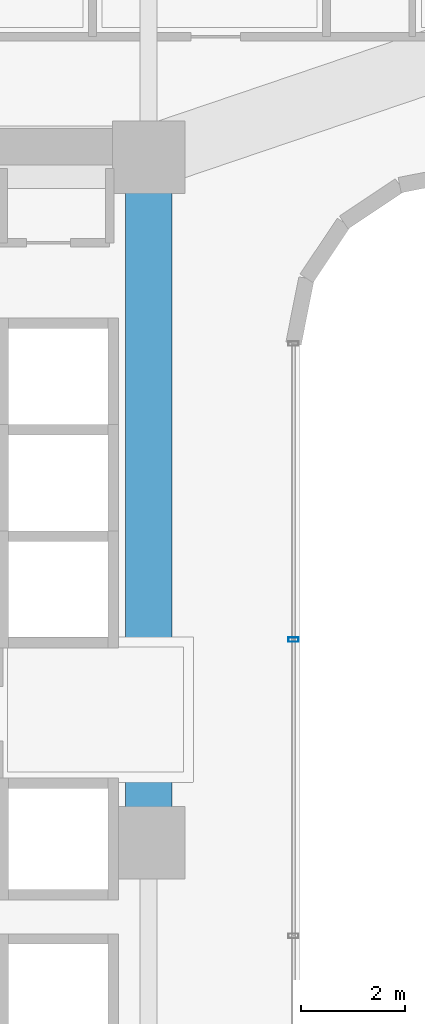
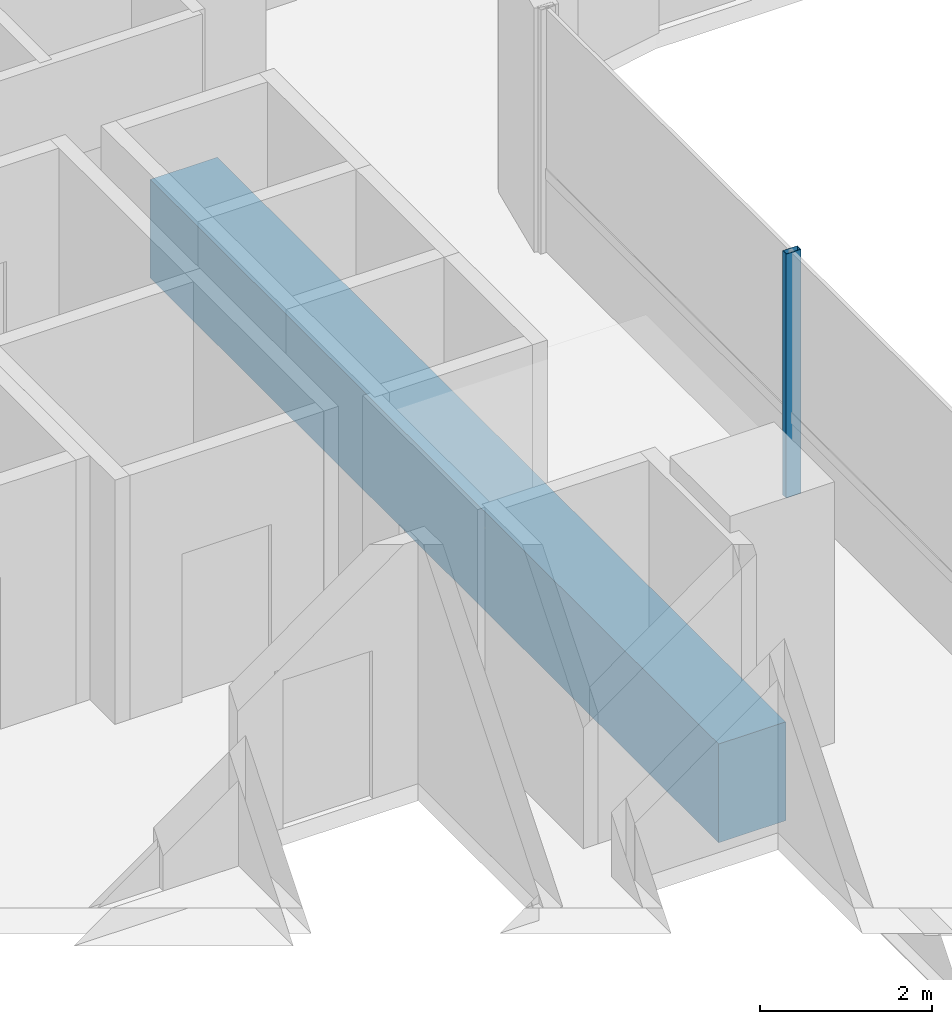
# One storey, part 12 of 50: 1 beam, 1 member, 1 element without a shape of its own.
"""IFC4 building model written with IfcOpenShell, lengths in metres."""

import ifcopenshell
import ifcopenshell.guid

model = None  # the IFC model being written
_history = None  # IfcOwnerHistory: only IFC2X3 demands one
_inside = {}  # id of a spatial element -> (the spatial element, [elements in it])
_under = {}  # id of a project, library or spatial element -> (it, [spatial elements below it])
_declared = {}  # id of a project -> (the project, [libraries it declares])
_typed = {}  # id of a type object -> (the type object, [elements of that type])
_made_of = {}  # id of a material, layer set ... -> (it, [elements and type objects made of it])


def new_model(schema):
    """Start an empty IFC model of exactly this schema.

    Asked for "IFC4X3", IfcOpenShell would pick the latest addendum, in which some entities
    have other attributes; the version numbers below select the first issue.
    IFC2X3 requires an IfcOwnerHistory on every rooted entity: one is made here for all.
    """
    global model, _history
    if schema == "IFC4X3":
        model = ifcopenshell.file(schema_version=(4, 3, 0, 0))
    else:
        model = ifcopenshell.file(schema=schema)
    _inside.clear()
    _under.clear()
    _declared.clear()
    _typed.clear()
    _made_of.clear()
    _history = None
    if model.schema == "IFC2X3":
        org = make("IfcOrganization", Name="unknown")
        user = make(
            "IfcPersonAndOrganization",
            ThePerson=make("IfcPerson", FamilyName="unknown"),
            TheOrganization=org,
        )
        app = make(
            "IfcApplication",
            ApplicationDeveloper=org,
            Version="unknown",
            ApplicationFullName="unknown",
            ApplicationIdentifier="unknown",
        )
        _history = make(
            "IfcOwnerHistory",
            OwningUser=user,
            OwningApplication=app,
            ChangeAction="ADDED",
            CreationDate=0,
        )
    return model


def make(cls, **values):
    """One entity of the class cls with the attributes given. An attribute that is None is left unset."""
    return model.create_entity(
        cls, **{name: value for name, value in values.items() if value is not None}
    )


def rooted(cls, **values):
    """An entity with a GlobalId (a new one), such as an element, a storey or a relation."""
    return make(cls, GlobalId=ifcopenshell.guid.new(), OwnerHistory=_history, **values)


def si_unit(unit_type, name, prefix=None):
    """IfcSIUnit, for example si_unit("LENGTHUNIT", "METRE", prefix="MILLI")."""
    return make("IfcSIUnit", UnitType=unit_type, Prefix=prefix, Name=name)


def assignment(units):
    """IfcUnitAssignment: the units of a project."""
    return None if units is None else make("IfcUnitAssignment", Units=units)


def point(xyz):
    """IfcCartesianPoint."""
    return None if xyz is None else make("IfcCartesianPoint", Coordinates=xyz)


def direction(xyz):
    """IfcDirection."""
    return None if xyz is None else make("IfcDirection", DirectionRatios=xyz)


def frame(location, z_axis=None, x_axis=None):
    """IfcAxis2Placement3D, a coordinate frame: its origin and axes. An axis left out is left unset."""
    return make(
        "IfcAxis2Placement3D",
        Location=point(location),
        Axis=direction(z_axis),
        RefDirection=direction(x_axis),
    )


def frame_2d(location, x_axis=None):
    """IfcAxis2Placement2D, a coordinate frame in the plane: its origin and x axis."""
    return make(
        "IfcAxis2Placement2D", Location=point(location), RefDirection=direction(x_axis)
    )


def origin():
    """The frame at (0, 0, 0) with its axes left unset."""
    return frame((0.0, 0.0, 0.0))


def origin_2d():
    """The frame at (0, 0) in the plane with its x axis left unset."""
    return frame_2d((0.0, 0.0))


def place(relative_to, where):
    """IfcLocalPlacement: puts the frame where relative to a parent placement (None: the world)."""
    return make(
        "IfcLocalPlacement", PlacementRelTo=relative_to, RelativePlacement=where
    )


def context(
    kind, dimensions, precision=None, world=None, true_north=None, identifier=None
):
    """IfcGeometricRepresentationContext, for example the 3D "Model" context."""
    return make(
        "IfcGeometricRepresentationContext",
        ContextIdentifier=identifier,
        ContextType=kind,
        CoordinateSpaceDimension=dimensions,
        Precision=precision,
        WorldCoordinateSystem=world,
        TrueNorth=true_north,
    )


def subcontext(parent, identifier, kind, view, scale=None):
    """IfcGeometricRepresentationSubContext, for example "Body" below "Model"."""
    return make(
        "IfcGeometricRepresentationSubContext",
        ContextIdentifier=identifier,
        ContextType=kind,
        ParentContext=parent,
        TargetScale=scale,
        TargetView=view,
    )


def project(units=None, contexts=None):
    """IfcProject with its units and contexts."""
    return rooted(
        "IfcProject",
        Name="project",
        RepresentationContexts=contexts,
        UnitsInContext=assignment(units),
    )


def spatial(cls, under=None, at=None, **own):
    """A site, building, storey or space (cls), placed at a placement, below another one or the project."""
    s = rooted(cls, ObjectPlacement=at, **own)
    if under is not None:
        _under.setdefault(under.id(), (under, []))[1].append(s)
    return s


def profile(cls, at=None, kind="AREA", **sizes):
    """A parametric profile (cls). Its sizes go by their IFC names, for example OverallWidth=200.0."""
    return make(cls, ProfileType=kind, Position=at, **sizes)


def rectangle(**sizes):
    """IfcRectangleProfileDef."""
    return profile("IfcRectangleProfileDef", **sizes)


def hollow_rectangle(**sizes):
    """IfcRectangleHollowProfileDef."""
    return profile("IfcRectangleHollowProfileDef", **sizes)


def extrude(swept, where, along, depth):
    """IfcExtrudedAreaSolid: the profile swept, set in the frame where, extruded along a direction by depth."""
    return make(
        "IfcExtrudedAreaSolid",
        SweptArea=swept,
        Position=where,
        ExtrudedDirection=direction(along),
        Depth=depth,
    )


def shape(context_of_items, identifier, shape_type, items):
    """IfcShapeRepresentation: the items that make up one representation, for example the "Body"."""
    return make(
        "IfcShapeRepresentation",
        ContextOfItems=context_of_items,
        RepresentationIdentifier=identifier,
        RepresentationType=shape_type,
        Items=items,
    )


def source(mapping_origin, context_of_items, identifier, shape_type, items):
    """IfcRepresentationMap: a shape defined once, which mapped items show again and again."""
    return make(
        "IfcRepresentationMap",
        MappingOrigin=mapping_origin,
        MappedRepresentation=shape(context_of_items, identifier, shape_type, items),
    )


def transform(
    local_origin,
    x_axis=None,
    y_axis=None,
    z_axis=None,
    scale=None,
    scale2=None,
    scale3=None,
    uniform=True,
):
    """IfcCartesianTransformationOperator3D, or its non-uniform kind. x_axis, y_axis, z_axis: its Axis1, 2, 3."""
    if uniform:
        return make(
            "IfcCartesianTransformationOperator3D",
            Axis1=direction(x_axis),
            Axis2=direction(y_axis),
            LocalOrigin=point(local_origin),
            Scale=scale,
            Axis3=direction(z_axis),
        )
    return make(
        "IfcCartesianTransformationOperator3DnonUniform",
        Axis1=direction(x_axis),
        Axis2=direction(y_axis),
        LocalOrigin=point(local_origin),
        Scale=scale,
        Axis3=direction(z_axis),
        Scale2=scale2,
        Scale3=scale3,
    )


def mapped(mapping_source, mapping_target):
    """IfcMappedItem: shows the shape of a source again, moved by a transform."""
    return make(
        "IfcMappedItem", MappingSource=mapping_source, MappingTarget=mapping_target
    )


def material(Name=None, Category=None):
    """IfcMaterial."""
    return make("IfcMaterial", Name=Name, Category=Category)


def material_profile(
    of_material, cross_section, Name=None, Category=None, Priority=None
):
    """IfcMaterialProfile: a cross section and its material."""
    return make(
        "IfcMaterialProfile",
        Name=Name,
        Material=of_material,
        Profile=cross_section,
        Priority=Priority,
        Category=Category,
    )


def profile_set(profiles, Name=None, composite=None):
    """IfcMaterialProfileSet."""
    return make(
        "IfcMaterialProfileSet",
        Name=Name,
        MaterialProfiles=profiles,
        CompositeProfile=composite,
    )


def made_of(thing, what):
    """Note that an element or type object is made of a material, layer set ...; save() writes the relation."""
    if what is not None:
        _made_of.setdefault(what.id(), (what, []))[1].append(thing)
    return thing


def type_object(cls, material=None, **own):
    """A type object (cls), such as IfcWallType, which elements share."""
    return made_of(rooted(cls, **own), material)


def element(
    cls,
    number,
    at=None,
    inside=None,
    cuts=None,
    type_object=None,
    material=None,
    context=None,
    identifier="Body",
    shape_type=None,
    held_by="IfcProductDefinitionShape",
    body=None,
    shapes=None,
    **own,
):
    """One element of the class cls, such as IfcWall. Its Tag is "e" and its number.

    at: its placement. inside: the storey or other place that contains it. cuts: it is an
    opening in that element (IfcRelVoidsElement). A single representation is given by context,
    identifier, shape_type and body (its items); several are given by shapes. held_by: the class
    of the entity that holds the representations. save() writes the other relations.
    """
    e = rooted(cls, Tag="e%d" % number, ObjectPlacement=at, **own)
    if body is not None:
        shapes = [shape(context, identifier, shape_type, body)]
    if shapes is not None:
        e.Representation = make(held_by, Representations=shapes)
    if inside is not None:
        _inside.setdefault(inside.id(), (inside, []))[1].append(e)
    if cuts is not None:
        rooted(
            "IfcRelVoidsElement", RelatingBuildingElement=cuts, RelatedOpeningElement=e
        )
    if type_object is not None:
        _typed.setdefault(type_object.id(), (type_object, []))[1].append(e)
    return made_of(e, material)


def aggregate(whole, parts):
    """IfcRelAggregates: a whole, such as a stair, and the parts it consists of."""
    return rooted("IfcRelAggregates", RelatingObject=whole, RelatedObjects=parts)


def save(model, path):
    """Write the relations noted so far, then the file.

    IfcRelAggregates (storeys below a building ...), IfcRelContainedInSpatialStructure (elements
    in a storey), IfcRelDefinesByType, IfcRelAssociatesMaterial and IfcRelDeclares: one each for
    every whole, place, type object, material and project.
    """
    for whole, parts in _under.values():
        aggregate(whole, parts)
    for where, things in _inside.values():
        rooted(
            "IfcRelContainedInSpatialStructure",
            RelatedElements=things,
            RelatingStructure=where,
        )
    for kind, things in _typed.values():
        rooted("IfcRelDefinesByType", RelatedObjects=things, RelatingType=kind)
    for what, things in _made_of.values():
        rooted("IfcRelAssociatesMaterial", RelatedObjects=things, RelatingMaterial=what)
    for by, libraries in _declared.values():
        rooted("IfcRelDeclares", RelatingContext=by, RelatedDefinitions=libraries)
    model.write(path)


model = new_model("IFC4")

# Units and contexts
model_context = context("Model", 3, precision=1e-05, world=origin(), true_north=direction((0.0, 1.0)))
body_context = subcontext(model_context, "Body", "Model", "MODEL_VIEW")
ifc_project = project(units=[si_unit("LENGTHUNIT", "METRE"), si_unit("AREAUNIT", "SQUARE_METRE"), si_unit("VOLUMEUNIT", "CUBIC_METRE"), si_unit("PLANEANGLEUNIT", "RADIAN"), si_unit("MASSUNIT", "GRAM", prefix="KILO")], contexts=[model_context])

# Site, building, storey
site_placement = place(None, origin())
site = spatial("IfcSite", under=ifc_project, at=site_placement, CompositionType="ELEMENT")
building_placement = place(site_placement, origin())
building = spatial("IfcBuilding", under=site, at=building_placement, Name="Valdorenza Pilgrim Sanctuary Tower", CompositionType="ELEMENT")
storey_placement = place(building_placement, frame((0.0, 0.0, 26.0)))
storey = spatial("IfcBuildingStorey", under=building, at=storey_placement, Name="L05", CompositionType="ELEMENT", Elevation=26.0)

# Beam
ifc_material_1 = material(Name="Concrete C60/75", Category="concrete")
ifc_material_profile_1 = material_profile(ifc_material_1, rectangle(XDim=0.89990234375, YDim=1.39990234375, at=origin_2d()), Name="RC 1400x900")
ifc_profile_set_1 = profile_set([ifc_material_profile_1], Name="Concrete C60/75")
beam_type = type_object("IfcBeamType", Name="STR-BM-LNT-1400", PredefinedType="LINTEL", material=ifc_profile_set_1)
shared_shape_1 = source(origin(), body_context, "Body", "SweptSolid", [
    extrude(rectangle(XDim=0.89990234375, YDim=1.39990234375, at=origin_2d()), origin(), (0.0, 0.0, 1.0), 13.2001953125),
])
beam_placement = place(storey_placement, frame((-12.39990234375, -2.60009765625, -0.739990234375), z_axis=(0.0, 1.0, 0.0), x_axis=(-1.0, 0.0, 0.0)))
element("IfcBeam", 1, at=beam_placement, inside=storey, type_object=beam_type, Name="L05 Core A Coupling Lintel Girder", PredefinedType="LINTEL", context=body_context, shape_type="MappedRepresentation", body=[
    mapped(shared_shape_1, transform((0.0, 0.0, 0.0), x_axis=(1.0, 0.0, 0.0), y_axis=(0.0, 1.0, 0.0), z_axis=(0.0, 0.0, 1.0), scale=1.0)),
])

# Curtain wall, member
ifc_material_2 = material(Name="Curtain-wall IGU glazing", Category="glass")
curtain_wall_type = type_object("IfcCurtainWallType", Name="CW-SYS-02", PredefinedType="NOTDEFINED", material=ifc_material_2)
curtain_wall_placement = place(storey_placement, origin())
curtain_wall = element("IfcCurtainWall", 2, at=curtain_wall_placement, inside=storey, type_object=curtain_wall_type, Name="L05 Curtain Wall CW-L05-1-41", PredefinedType="NOTDEFINED")
ifc_material_3 = material(Name="Anodised aluminium AW-6060", Category="aluminium")
ifc_material_profile_2 = material_profile(ifc_material_3, hollow_rectangle(XDim=0.0849609375, YDim=0.199951171875, WallThickness=0.0048828125, at=origin_2d()), Name="ALU-M 200x85x5")
ifc_profile_set_2 = profile_set([ifc_material_profile_2], Name="Anodised aluminium AW-6060")
member_type = type_object("IfcMemberType", Name="CW-MUL-02", PredefinedType="MULLION", material=ifc_profile_set_2)
shared_shape_2 = source(origin(), body_context, "Body", "SweptSolid", [
    extrude(hollow_rectangle(XDim=0.0849609375, YDim=0.199951171875, WallThickness=0.0048828125, at=origin_2d()), origin(), (0.0, 0.0, 1.0), 3.4599609375),
])
member_placement = place(storey_placement, frame((-9.610107421875, 1.310791015625, 0.0), z_axis=(0.0, 0.0, 1.0), x_axis=(0.0, -1.0, 0.0)))
member = element("IfcMember", 3, at=member_placement, type_object=member_type, Name="CW-L05-1-41 Mullion 2", PredefinedType="MULLION", context=body_context, shape_type="MappedRepresentation", body=[
    mapped(shared_shape_2, transform((0.0, 0.0, 0.0), x_axis=(1.0, 0.0, 0.0), y_axis=(0.0, 1.0, 0.0), z_axis=(0.0, 0.0, 1.0), scale=1.0)),
])
aggregate(curtain_wall, [member])

save(model, "model.ifc")
